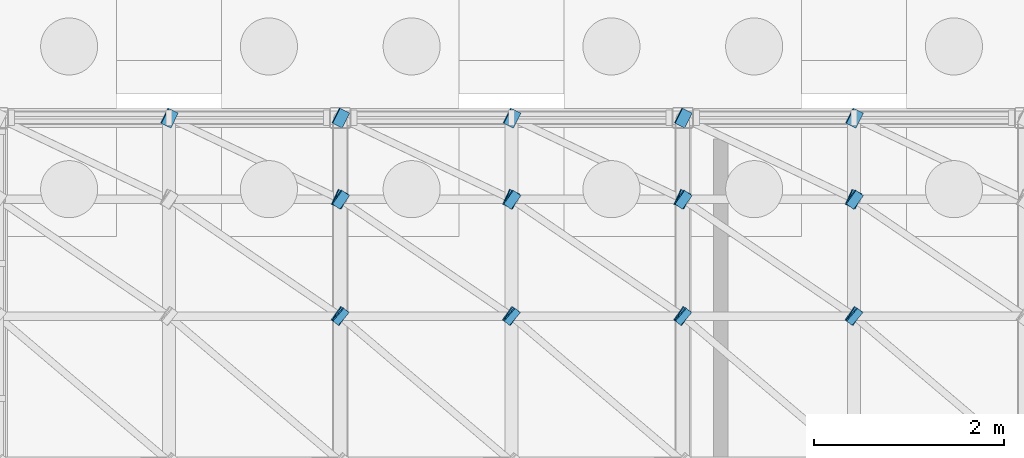
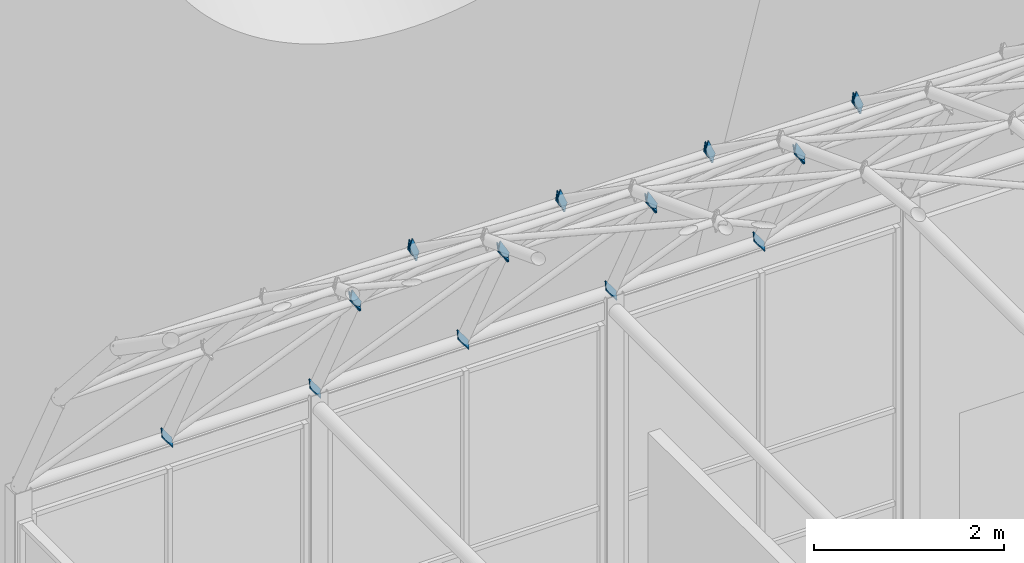
# One storey, part 101 of 116: 21 discrete accessories.
"""IFC4 building model written with IfcOpenShell, lengths in metres."""

from ifc_helpers import new_model, si_unit, direction, frame, origin, origin_2d, place, context, subcontext, project, spatial, rectangle, extrude, material, material_profile, profile_set, type_object, element, save


model = new_model("IFC4")

# Units and contexts
model_context = context("Model", 3, precision=1e-05, world=origin(), true_north=direction((0.0, 1.0)))
body_context = subcontext(model_context, "Body", "Model", "MODEL_VIEW")
ifc_project = project(units=[si_unit("LENGTHUNIT", "METRE"), si_unit("AREAUNIT", "SQUARE_METRE"), si_unit("VOLUMEUNIT", "CUBIC_METRE"), si_unit("PLANEANGLEUNIT", "RADIAN"), si_unit("MASSUNIT", "GRAM", prefix="KILO")], contexts=[model_context])

# Site, building, storey
site_placement = place(None, origin())
site = spatial("IfcSite", under=ifc_project, at=site_placement, CompositionType="ELEMENT")
building_placement = place(site_placement, origin())
building = spatial("IfcBuilding", under=site, at=building_placement, Name="Ardhachandra Cancer Care Centre", CompositionType="ELEMENT")
storey_placement = place(building_placement, origin())
storey = spatial("IfcBuildingStorey", under=building, at=storey_placement, Name="L00", CompositionType="ELEMENT", Elevation=0.0)

# Discrete accessories
ifc_material = material(Name="Steel E250 (IS 2062)", Category="steel")
ifc_material_profile = material_profile(ifc_material, rectangle(XDim=0.176025390625, YDim=0.176025390625, at=origin_2d()), Name="PL 176x176x12")
ifc_profile_set = profile_set([ifc_material_profile], Name="Steel E250 (IS 2062)")
discrete_accessory_type = type_object("IfcDiscreteAccessoryType", Name="Diagonal end plate 176 x 176 x 12", PredefinedType="BRACKET", material=ifc_profile_set)
discrete_accessory_1_placement = place(storey_placement, frame((67.199951171875, 19.514892578125, 8.4501953125), z_axis=(-0.685366874707, 0.483788382146, -0.544261929915), x_axis=(-0.576683197599, -0.816967863265, 0.0)))
element("IfcDiscreteAccessory", 1, at=discrete_accessory_1_placement, inside=storey, type_object=discrete_accessory_type, Name="Diagonal end plate Pavilion shell diagonal 02-08 1", PredefinedType="BRACKET", context=body_context, shape_type="SweptSolid", body=[
    extrude(rectangle(XDim=0.176025390625, YDim=0.176025390625, at=origin_2d()), origin(), (0.0, 0.0, 1.0), 0.01220703125),
])
discrete_accessory_2_placement = place(storey_placement, frame((67.199951171875, 20.74365234375, 7.05224609375), z_axis=(-0.697959218879, 0.328451397119, -0.636374581919), x_axis=(-0.42579703633, -0.904818702201, 0.0)))
element("IfcDiscreteAccessory", 2, at=discrete_accessory_2_placement, inside=storey, type_object=discrete_accessory_type, Name="Diagonal end plate Pavilion shell diagonal 02-09 1", PredefinedType="BRACKET", context=body_context, shape_type="SweptSolid", body=[
    extrude(rectangle(XDim=0.176025390625, YDim=0.176025390625, at=origin_2d()), origin(), (0.0, 0.0, 1.0), 0.011962890625),
])
discrete_accessory_3_placement = place(storey_placement, frame((65.39990234375, 21.60009765625, 5.39990234375), z_axis=(0.694739889871, -0.337445089366, 0.635190756454), x_axis=(0.436903962737, 0.899508158576, 0.0)))
element("IfcDiscreteAccessory", 3, at=discrete_accessory_3_placement, inside=storey, type_object=discrete_accessory_type, Name="Diagonal end plate Pavilion shell diagonal 02-09 2", PredefinedType="BRACKET", context=body_context, shape_type="SweptSolid", body=[
    extrude(rectangle(XDim=0.176025390625, YDim=0.176025390625, at=origin_2d()), origin(), (0.0, 0.0, 1.0), 0.01220703125),
])
discrete_accessory_4_placement = place(storey_placement, frame((67.199951171875, 19.514892578125, 8.4501953125), z_axis=(0.694456264675, -0.592330343399, 0.408503685103), x_axis=(0.648946606083, 0.760833951959, 0.0)))
element("IfcDiscreteAccessory", 4, at=discrete_accessory_4_placement, inside=storey, type_object=discrete_accessory_type, Name="Diagonal end plate Pavilion shell diagonal 03-07 2", PredefinedType="BRACKET", context=body_context, shape_type="SweptSolid", body=[
    extrude(rectangle(XDim=0.176025390625, YDim=0.176025390625, at=origin_2d()), origin(), (0.0, 0.0, 1.0), 0.011962890625),
])
for number, where, z_axis, x_axis, name in (
    (5, (69.0, 19.514892578125, 8.4501953125), (-0.685366874707, 0.483788382146, -0.544261929915), (-0.576683197599, -0.816967863265, 0.0), "Diagonal end plate Pavilion shell diagonal 03-08 1"),
    (6, (67.199951171875, 20.74365234375, 7.05224609375), (0.685366874707, -0.483788382146, 0.544261929915), (0.576683197599, 0.816967863265, 0.0), "Diagonal end plate Pavilion shell diagonal 03-08 2"),
):
    element("IfcDiscreteAccessory", number, at=place(storey_placement, frame(where, z_axis=z_axis, x_axis=x_axis)), inside=storey, type_object=discrete_accessory_type, Name=name, PredefinedType="BRACKET", context=body_context, shape_type="SweptSolid", body=[
        extrude(rectangle(XDim=0.176025390625, YDim=0.176025390625, at=origin_2d()), origin(), (0.0, 0.0, 1.0), 0.01220703125),
    ])
discrete_accessory_5_placement = place(storey_placement, frame((69.0, 20.74365234375, 7.05224609375), z_axis=(-0.697959218879, 0.328451397119, -0.636374581919), x_axis=(-0.42579703633, -0.904818702201, 0.0)))
element("IfcDiscreteAccessory", 7, at=discrete_accessory_5_placement, inside=storey, type_object=discrete_accessory_type, Name="Diagonal end plate Pavilion shell diagonal 03-09 1", PredefinedType="BRACKET", context=body_context, shape_type="SweptSolid", body=[
    extrude(rectangle(XDim=0.176025390625, YDim=0.176025390625, at=origin_2d()), origin(), (0.0, 0.0, 1.0), 0.011962890625),
])
discrete_accessory_6_placement = place(storey_placement, frame((67.199951171875, 21.60009765625, 5.39990234375), z_axis=(0.684255618403, -0.342127809202, 0.644005287909), x_axis=(0.4472135955, 0.894427191, 0.0)))
element("IfcDiscreteAccessory", 8, at=discrete_accessory_6_placement, inside=storey, type_object=discrete_accessory_type, Name="Diagonal end plate Pavilion shell diagonal 03-09 2", PredefinedType="BRACKET", context=body_context, shape_type="SweptSolid", body=[
    extrude(rectangle(XDim=0.176025390625, YDim=0.176025390625, at=origin_2d()), origin(), (0.0, 0.0, 1.0), 0.01220703125),
])
discrete_accessory_7_placement = place(storey_placement, frame((69.0, 19.514892578125, 8.4501953125), z_axis=(0.694456264675, -0.592330343399, 0.408503685103), x_axis=(0.648946606083, 0.760833951959, 0.0)))
element("IfcDiscreteAccessory", 9, at=discrete_accessory_7_placement, inside=storey, type_object=discrete_accessory_type, Name="Diagonal end plate Pavilion shell diagonal 04-07 2", PredefinedType="BRACKET", context=body_context, shape_type="SweptSolid", body=[
    extrude(rectangle(XDim=0.176025390625, YDim=0.176025390625, at=origin_2d()), origin(), (0.0, 0.0, 1.0), 0.011962890625),
])
for number, where, z_axis, x_axis, name in (
    (10, (70.800048828125, 19.514892578125, 8.4501953125), (-0.685366874707, 0.483788382146, -0.544261929915), (-0.576683197599, -0.816967863265, 0.0), "Diagonal end plate Pavilion shell diagonal 04-08 1"),
    (11, (69.0, 20.74365234375, 7.05224609375), (0.685366874707, -0.483788382146, 0.544261929915), (0.576683197599, 0.816967863265, 0.0), "Diagonal end plate Pavilion shell diagonal 04-08 2"),
):
    element("IfcDiscreteAccessory", number, at=place(storey_placement, frame(where, z_axis=z_axis, x_axis=x_axis)), inside=storey, type_object=discrete_accessory_type, Name=name, PredefinedType="BRACKET", context=body_context, shape_type="SweptSolid", body=[
        extrude(rectangle(XDim=0.176025390625, YDim=0.176025390625, at=origin_2d()), origin(), (0.0, 0.0, 1.0), 0.01220703125),
    ])
discrete_accessory_8_placement = place(storey_placement, frame((70.800048828125, 20.74365234375, 7.05224609375), z_axis=(-0.697959218879, 0.328451397119, -0.636374581919), x_axis=(-0.42579703633, -0.904818702201, 0.0)))
element("IfcDiscreteAccessory", 12, at=discrete_accessory_8_placement, inside=storey, type_object=discrete_accessory_type, Name="Diagonal end plate Pavilion shell diagonal 04-09 1", PredefinedType="BRACKET", context=body_context, shape_type="SweptSolid", body=[
    extrude(rectangle(XDim=0.176025390625, YDim=0.176025390625, at=origin_2d()), origin(), (0.0, 0.0, 1.0), 0.011962890625),
])
discrete_accessory_9_placement = place(storey_placement, frame((69.0, 21.60009765625, 5.39990234375), z_axis=(0.684255618403, -0.342127809202, 0.644005287909), x_axis=(0.4472135955, 0.894427191, 0.0)))
element("IfcDiscreteAccessory", 13, at=discrete_accessory_9_placement, inside=storey, type_object=discrete_accessory_type, Name="Diagonal end plate Pavilion shell diagonal 04-09 2", PredefinedType="BRACKET", context=body_context, shape_type="SweptSolid", body=[
    extrude(rectangle(XDim=0.176025390625, YDim=0.176025390625, at=origin_2d()), origin(), (0.0, 0.0, 1.0), 0.01220703125),
])
discrete_accessory_10_placement = place(storey_placement, frame((70.800048828125, 19.514892578125, 8.4501953125), z_axis=(0.694456264675, -0.592330343399, 0.408503685103), x_axis=(0.648946606083, 0.760833951959, 0.0)))
element("IfcDiscreteAccessory", 14, at=discrete_accessory_10_placement, inside=storey, type_object=discrete_accessory_type, Name="Diagonal end plate Pavilion shell diagonal 05-07 2", PredefinedType="BRACKET", context=body_context, shape_type="SweptSolid", body=[
    extrude(rectangle(XDim=0.176025390625, YDim=0.176025390625, at=origin_2d()), origin(), (0.0, 0.0, 1.0), 0.011962890625),
])
for number, where, z_axis, x_axis, name in (
    (15, (72.60009765625, 19.514892578125, 8.4501953125), (-0.695837425927, 0.477145663493, -0.536788871429), (-0.565528355552, -0.824728851846, 0.0), "Diagonal end plate Pavilion shell diagonal 05-08 1"),
    (16, (70.800048828125, 20.74365234375, 7.05224609375), (0.685366874707, -0.483788382146, 0.544261929915), (0.576683197599, 0.816967863265, 0.0), "Diagonal end plate Pavilion shell diagonal 05-08 2"),
):
    element("IfcDiscreteAccessory", number, at=place(storey_placement, frame(where, z_axis=z_axis, x_axis=x_axis)), inside=storey, type_object=discrete_accessory_type, Name=name, PredefinedType="BRACKET", context=body_context, shape_type="SweptSolid", body=[
        extrude(rectangle(XDim=0.176025390625, YDim=0.176025390625, at=origin_2d()), origin(), (0.0, 0.0, 1.0), 0.01220703125),
    ])
discrete_accessory_11_placement = place(storey_placement, frame((72.60009765625, 20.74365234375, 7.05224609375), z_axis=(-0.708264076202, 0.323777863407, -0.62731961035), x_axis=(-0.415759760268, -0.909474475586, 0.0)))
element("IfcDiscreteAccessory", 17, at=discrete_accessory_11_placement, inside=storey, type_object=discrete_accessory_type, Name="Diagonal end plate Pavilion shell diagonal 05-09 1", PredefinedType="BRACKET", context=body_context, shape_type="SweptSolid", body=[
    extrude(rectangle(XDim=0.176025390625, YDim=0.176025390625, at=origin_2d()), origin(), (0.0, 0.0, 1.0), 0.011962890625),
])
discrete_accessory_12_placement = place(storey_placement, frame((70.800048828125, 21.60009765625, 5.39990234375), z_axis=(0.684255618403, -0.342127809202, 0.644005287909), x_axis=(0.4472135955, 0.894427191, 0.0)))
element("IfcDiscreteAccessory", 18, at=discrete_accessory_12_placement, inside=storey, type_object=discrete_accessory_type, Name="Diagonal end plate Pavilion shell diagonal 05-09 2", PredefinedType="BRACKET", context=body_context, shape_type="SweptSolid", body=[
    extrude(rectangle(XDim=0.176025390625, YDim=0.176025390625, at=origin_2d()), origin(), (0.0, 0.0, 1.0), 0.01220703125),
])
discrete_accessory_13_placement = place(storey_placement, frame((72.60009765625, 19.514892578125, 8.4501953125), z_axis=(0.694456264675, -0.592330343399, 0.408503685103), x_axis=(0.648946606083, 0.760833951959, 0.0)))
element("IfcDiscreteAccessory", 19, at=discrete_accessory_13_placement, inside=storey, type_object=discrete_accessory_type, Name="Diagonal end plate Pavilion shell diagonal 06-07 2", PredefinedType="BRACKET", context=body_context, shape_type="SweptSolid", body=[
    extrude(rectangle(XDim=0.176025390625, YDim=0.176025390625, at=origin_2d()), origin(), (0.0, 0.0, 1.0), 0.011962890625),
])
for number, where, z_axis, x_axis, name in (
    (20, (72.60009765625, 20.74365234375, 7.05224609375), (0.685366874707, -0.483788382146, 0.544261929915), (0.576683197599, 0.816967863265, 0.0), "Diagonal end plate Pavilion shell diagonal 06-08 2"),
    (21, (72.60009765625, 21.60009765625, 5.39990234375), (0.684255618403, -0.342127809202, 0.644005287909), (0.4472135955, 0.894427191, 0.0), "Diagonal end plate Pavilion shell diagonal 06-09 2"),
):
    element("IfcDiscreteAccessory", number, at=place(storey_placement, frame(where, z_axis=z_axis, x_axis=x_axis)), inside=storey, type_object=discrete_accessory_type, Name=name, PredefinedType="BRACKET", context=body_context, shape_type="SweptSolid", body=[
        extrude(rectangle(XDim=0.176025390625, YDim=0.176025390625, at=origin_2d()), origin(), (0.0, 0.0, 1.0), 0.01220703125),
    ])

save(model, "model.ifc")
